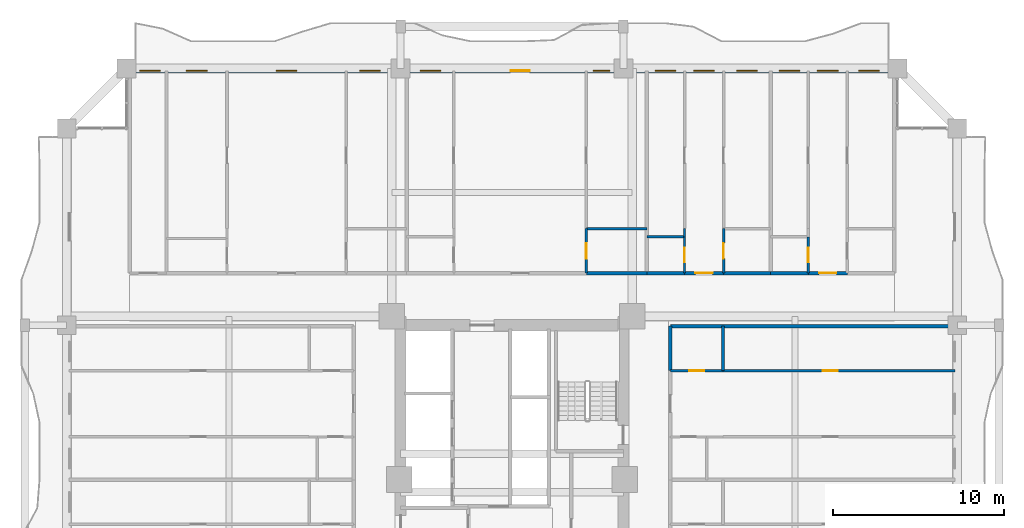
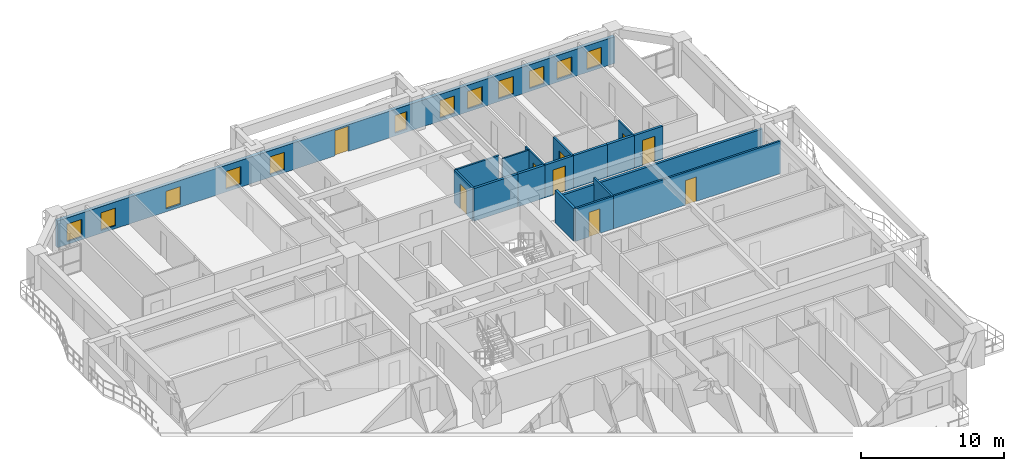
# One storey, part 20 of 28: 19 walls, 12 windows, 9 doors, 21 openings.
"""IFC4 building model written with IfcOpenShell, lengths in metres."""

from ifc_helpers import new_model, si_unit, direction, frame, frame_2d, origin, place, context, subcontext, project, spatial, rectangle, extrude, source, transform, mapped, material, layer, layer_set, type_object, element, fill, save


model = new_model("IFC4")

# Units and contexts
model_context = context("Model", 3, precision=1e-05, world=origin(), true_north=direction((0.0, 1.0)))
body_context = subcontext(model_context, "Body", "Model", "MODEL_VIEW")
ifc_project = project(units=[si_unit("LENGTHUNIT", "METRE"), si_unit("AREAUNIT", "SQUARE_METRE"), si_unit("VOLUMEUNIT", "CUBIC_METRE"), si_unit("PLANEANGLEUNIT", "RADIAN"), si_unit("MASSUNIT", "GRAM", prefix="KILO")], contexts=[model_context])

# Site, building, storey
site_placement = place(None, origin())
site = spatial("IfcSite", under=ifc_project, at=site_placement, CompositionType="ELEMENT")
building_placement = place(site_placement, origin())
building = spatial("IfcBuilding", under=site, at=building_placement, Name="Saelheon Loggia Tower", CompositionType="ELEMENT")
storey_placement = place(building_placement, frame((0.0, 0.0, 25.39990234375)))
storey = spatial("IfcBuildingStorey", under=building, at=storey_placement, Name="L07", CompositionType="ELEMENT", Elevation=25.39990234375)

# Wall, openings, windows, door
ifc_material_1 = material(Name="Architectural Precast Concrete C40/50", Category="concrete")
ifc_layer_1 = layer(ifc_material_1, 0.280029296875)
ifc_layer_set_1 = layer_set([ifc_layer_1], Name="Architectural Precast Concrete C40/50")
wall_type_1 = type_object("IfcWallType", Name="Wall_Ext_Loggia_280", PredefinedType="SOLIDWALL", material=ifc_layer_set_1)
wall_1_placement = place(storey_placement, frame((15.5, 50.860107421875, 0.0), z_axis=(0.0, 0.0, 1.0), x_axis=(1.0, 0.0, 0.0)))
wall_1 = element("IfcWall", 1, at=wall_1_placement, inside=storey, type_object=wall_type_1, Name="L07 North Loggia Inner Wall", PredefinedType="SOLIDWALL", context=body_context, shape_type="SweptSolid", body=[
    extrude(rectangle(XDim=45.0, YDim=0.280029296875, at=frame_2d((22.5, 0.0))), origin(), (0.0, 0.0, 1.0), 2.280029296875),
])
opening_1_placement = place(wall_1_placement, frame((0.760009765625, 0.0, 0.25)))
opening_1 = element("IfcOpeningElement", 2, at=opening_1_placement, cuts=wall_1, Name="Opening WN-03", PredefinedType="OPENING", context=body_context, shape_type="SweptSolid", body=[
    extrude(rectangle(XDim=1.199951171875, YDim=1.5, at=frame_2d((0.60009765625, 0.75))), frame((0.0, 0.152099609375, 0.0), z_axis=(0.0, -1.0, 0.0), x_axis=(1.0, 0.0, 0.0)), (0.0, 0.0, 1.0), 0.303955078125),
])
opening_2_placement = place(wall_1_placement, frame((3.494384765625, 0.0, 0.25)))
opening_2 = element("IfcOpeningElement", 3, at=opening_2_placement, cuts=wall_1, Name="Opening WN-03", PredefinedType="OPENING", context=body_context, shape_type="SweptSolid", body=[
    extrude(rectangle(XDim=1.199951171875, YDim=1.5, at=frame_2d((0.60009765625, 0.75))), frame((0.0, 0.152099609375, 0.0), z_axis=(0.0, -1.0, 0.0), x_axis=(1.0, 0.0, 0.0)), (0.0, 0.0, 1.0), 0.303955078125),
])
opening_3_placement = place(wall_1_placement, frame((8.740966796875, 0.0, 0.25)))
opening_3 = element("IfcOpeningElement", 4, at=opening_3_placement, cuts=wall_1, Name="Opening WN-03", PredefinedType="OPENING", context=body_context, shape_type="SweptSolid", body=[
    extrude(rectangle(XDim=1.199951171875, YDim=1.5, at=frame_2d((0.60009765625, 0.75))), frame((0.0, 0.152099609375, 0.0), z_axis=(0.0, -1.0, 0.0), x_axis=(1.0, 0.0, 0.0)), (0.0, 0.0, 1.0), 0.303955078125),
])
opening_4_placement = place(wall_1_placement, frame((13.616455078125, 0.0, 0.25)))
opening_4 = element("IfcOpeningElement", 5, at=opening_4_placement, cuts=wall_1, Name="Opening WN-03", PredefinedType="OPENING", context=body_context, shape_type="SweptSolid", body=[
    extrude(rectangle(XDim=1.199951171875, YDim=1.5, at=frame_2d((0.60009765625, 0.75))), frame((0.0, 0.152099609375, 0.0), z_axis=(0.0, -1.0, 0.0), x_axis=(1.0, 0.0, 0.0)), (0.0, 0.0, 1.0), 0.303955078125),
])
opening_5_placement = place(wall_1_placement, frame((17.145751953125, 0.0, 0.25)))
opening_5 = element("IfcOpeningElement", 6, at=opening_5_placement, cuts=wall_1, Name="Opening WN-03", PredefinedType="OPENING", context=body_context, shape_type="SweptSolid", body=[
    extrude(rectangle(XDim=1.199951171875, YDim=1.5, at=frame_2d((0.60009765625, 0.75))), frame((0.0, 0.152099609375, 0.0), z_axis=(0.0, -1.0, 0.0), x_axis=(1.0, 0.0, 0.0)), (0.0, 0.0, 1.0), 0.303955078125),
])
opening_6_placement = place(wall_1_placement, frame((22.423095703125, 0.0, 0.0)))
opening_6 = element("IfcOpeningElement", 7, at=opening_6_placement, cuts=wall_1, Name="Opening TD1", PredefinedType="OPENING", context=body_context, shape_type="SweptSolid", body=[
    extrude(rectangle(XDim=1.10009765625, YDim=2.14990234375, at=frame_2d((0.550048828125, 1.074951171875))), frame((0.0, 0.152099609375, 0.0), z_axis=(0.0, -1.0, 0.0), x_axis=(1.0, 0.0, 0.0)), (0.0, 0.0, 1.0), 0.303955078125),
])
opening_7_placement = place(wall_1_placement, frame((27.252197265625, 0.0, 0.25)))
opening_7 = element("IfcOpeningElement", 8, at=opening_7_placement, cuts=wall_1, Name="Opening WN-04", PredefinedType="OPENING", context=body_context, shape_type="SweptSolid", body=[
    extrude(rectangle(XDim=0.949951171875, YDim=1.5, at=frame_2d((0.47509765625, 0.75))), frame((0.0, 0.152099609375, 0.0), z_axis=(0.0, -1.0, 0.0), x_axis=(1.0, 0.0, 0.0)), (0.0, 0.0, 1.0), 0.303955078125),
])
opening_8_placement = place(wall_1_placement, frame((30.873291015625, 0.0, 0.25)))
opening_8 = element("IfcOpeningElement", 9, at=opening_8_placement, cuts=wall_1, Name="Opening WN-03", PredefinedType="OPENING", context=body_context, shape_type="SweptSolid", body=[
    extrude(rectangle(XDim=1.199951171875, YDim=1.5, at=frame_2d((0.60009765625, 0.75))), frame((0.0, 0.152099609375, 0.0), z_axis=(0.0, -1.0, 0.0), x_axis=(1.0, 0.0, 0.0)), (0.0, 0.0, 1.0), 0.303955078125),
])
opening_9_placement = place(wall_1_placement, frame((33.112548828125, 0.0, 0.25)))
opening_9 = element("IfcOpeningElement", 10, at=opening_9_placement, cuts=wall_1, Name="Opening WN-03", PredefinedType="OPENING", context=body_context, shape_type="SweptSolid", body=[
    extrude(rectangle(XDim=1.199951171875, YDim=1.5, at=frame_2d((0.60009765625, 0.75))), frame((0.0, 0.152099609375, 0.0), z_axis=(0.0, -1.0, 0.0), x_axis=(1.0, 0.0, 0.0)), (0.0, 0.0, 1.0), 0.303955078125),
])
opening_10_placement = place(wall_1_placement, frame((35.624267578125, 0.0, 0.25)))
opening_10 = element("IfcOpeningElement", 11, at=opening_10_placement, cuts=wall_1, Name="Opening WN-03", PredefinedType="OPENING", context=body_context, shape_type="SweptSolid", body=[
    extrude(rectangle(XDim=1.199951171875, YDim=1.5, at=frame_2d((0.60009765625, 0.75))), frame((0.0, 0.152099609375, 0.0), z_axis=(0.0, -1.0, 0.0), x_axis=(1.0, 0.0, 0.0)), (0.0, 0.0, 1.0), 0.303955078125),
])
opening_11_placement = place(wall_1_placement, frame((38.0966796875, 0.0, 0.25)))
opening_11 = element("IfcOpeningElement", 12, at=opening_11_placement, cuts=wall_1, Name="Opening WN-03", PredefinedType="OPENING", context=body_context, shape_type="SweptSolid", body=[
    extrude(rectangle(XDim=1.199951171875, YDim=1.5, at=frame_2d((0.60009765625, 0.75))), frame((0.0, 0.152099609375, 0.0), z_axis=(0.0, -1.0, 0.0), x_axis=(1.0, 0.0, 0.0)), (0.0, 0.0, 1.0), 0.303955078125),
])
opening_12_placement = place(wall_1_placement, frame((40.3359375, 0.0, 0.25)))
opening_12 = element("IfcOpeningElement", 13, at=opening_12_placement, cuts=wall_1, Name="Opening WN-03", PredefinedType="OPENING", context=body_context, shape_type="SweptSolid", body=[
    extrude(rectangle(XDim=1.199951171875, YDim=1.5, at=frame_2d((0.60009765625, 0.75))), frame((0.0, 0.152099609375, 0.0), z_axis=(0.0, -1.0, 0.0), x_axis=(1.0, 0.0, 0.0)), (0.0, 0.0, 1.0), 0.303955078125),
])
opening_13_placement = place(wall_1_placement, frame((42.74267578125, 0.0, 0.25)))
opening_13 = element("IfcOpeningElement", 14, at=opening_13_placement, cuts=wall_1, Name="Opening WN-03", PredefinedType="OPENING", context=body_context, shape_type="SweptSolid", body=[
    extrude(rectangle(XDim=1.199951171875, YDim=1.5, at=frame_2d((0.60009765625, 0.75))), frame((0.0, 0.152099609375, 0.0), z_axis=(0.0, -1.0, 0.0), x_axis=(1.0, 0.0, 0.0)), (0.0, 0.0, 1.0), 0.303955078125),
])
ifc_material_2 = material(Name="Thermal-Break Aluminium and Triple Low-E Glass", Category="aluminium")
window_type_1 = type_object("IfcWindowType", Name="Win_Bedroom_1200x1500", PartitioningType="SINGLE_PANEL", PredefinedType="WINDOW", material=ifc_material_2)
shared_shape_1 = source(origin(), body_context, "Body", "SweptSolid", [
    extrude(rectangle(XDim=1.199951171875, YDim=1.5, at=frame_2d((0.60009765625, 0.75))), frame((0.0, 0.030029296875, 0.0), z_axis=(0.0, -1.0, 0.0), x_axis=(1.0, 0.0, 0.0)), (0.0, 0.0, 1.0), 0.06005859375),
])
window_1_placement = place(opening_1_placement, origin())
window_1 = element("IfcWindow", 15, at=window_1_placement, inside=storey, type_object=window_type_1, Name="L07 N Dwelling Window 1", OverallHeight=1.5, OverallWidth=1.199951171875, PartitioningType="SINGLE_PANEL", PredefinedType="WINDOW", context=body_context, shape_type="MappedRepresentation", body=[
    mapped(shared_shape_1, transform((0.0, 0.0, 0.0), scale=1.0)),
])
fill(opening_1, window_1)
window_2_placement = place(opening_2_placement, origin())
window_2 = element("IfcWindow", 16, at=window_2_placement, inside=storey, type_object=window_type_1, Name="L07 N Dwelling Window 2", OverallHeight=1.5, OverallWidth=1.199951171875, PartitioningType="SINGLE_PANEL", PredefinedType="WINDOW", context=body_context, shape_type="MappedRepresentation", body=[
    mapped(shared_shape_1, transform((0.0, 0.0, 0.0), scale=1.0)),
])
fill(opening_2, window_2)
window_3_placement = place(opening_3_placement, origin())
window_3 = element("IfcWindow", 17, at=window_3_placement, inside=storey, type_object=window_type_1, Name="L07 N Dwelling Window 3", OverallHeight=1.5, OverallWidth=1.199951171875, PartitioningType="SINGLE_PANEL", PredefinedType="WINDOW", context=body_context, shape_type="MappedRepresentation", body=[
    mapped(shared_shape_1, transform((0.0, 0.0, 0.0), scale=1.0)),
])
fill(opening_3, window_3)
window_4_placement = place(opening_4_placement, origin())
window_4 = element("IfcWindow", 18, at=window_4_placement, inside=storey, type_object=window_type_1, Name="L07 N Dwelling Window 4", OverallHeight=1.5, OverallWidth=1.199951171875, PartitioningType="SINGLE_PANEL", PredefinedType="WINDOW", context=body_context, shape_type="MappedRepresentation", body=[
    mapped(shared_shape_1, transform((0.0, 0.0, 0.0), scale=1.0)),
])
fill(opening_4, window_4)
window_5_placement = place(opening_5_placement, origin())
window_5 = element("IfcWindow", 19, at=window_5_placement, inside=storey, type_object=window_type_1, Name="L07 N Dwelling Window 5", OverallHeight=1.5, OverallWidth=1.199951171875, PartitioningType="SINGLE_PANEL", PredefinedType="WINDOW", context=body_context, shape_type="MappedRepresentation", body=[
    mapped(shared_shape_1, transform((0.0, 0.0, 0.0), scale=1.0)),
])
fill(opening_5, window_5)
window_6_placement = place(opening_8_placement, origin())
window_6 = element("IfcWindow", 20, at=window_6_placement, inside=storey, type_object=window_type_1, Name="L07 N Dwelling Window 8", OverallHeight=1.5, OverallWidth=1.199951171875, PartitioningType="SINGLE_PANEL", PredefinedType="WINDOW", context=body_context, shape_type="MappedRepresentation", body=[
    mapped(shared_shape_1, transform((0.0, 0.0, 0.0), scale=1.0)),
])
fill(opening_8, window_6)
window_7_placement = place(opening_9_placement, origin())
window_7 = element("IfcWindow", 21, at=window_7_placement, inside=storey, type_object=window_type_1, Name="L07 N Dwelling Window 9", OverallHeight=1.5, OverallWidth=1.199951171875, PartitioningType="SINGLE_PANEL", PredefinedType="WINDOW", context=body_context, shape_type="MappedRepresentation", body=[
    mapped(shared_shape_1, transform((0.0, 0.0, 0.0), scale=1.0)),
])
fill(opening_9, window_7)
window_8_placement = place(opening_10_placement, origin())
window_8 = element("IfcWindow", 22, at=window_8_placement, inside=storey, type_object=window_type_1, Name="L07 N Dwelling Window 10", OverallHeight=1.5, OverallWidth=1.199951171875, PartitioningType="SINGLE_PANEL", PredefinedType="WINDOW", context=body_context, shape_type="MappedRepresentation", body=[
    mapped(shared_shape_1, transform((0.0, 0.0, 0.0), scale=1.0)),
])
fill(opening_10, window_8)
window_9_placement = place(opening_11_placement, origin())
window_9 = element("IfcWindow", 23, at=window_9_placement, inside=storey, type_object=window_type_1, Name="L07 N Dwelling Window 11", OverallHeight=1.5, OverallWidth=1.199951171875, PartitioningType="SINGLE_PANEL", PredefinedType="WINDOW", context=body_context, shape_type="MappedRepresentation", body=[
    mapped(shared_shape_1, transform((0.0, 0.0, 0.0), scale=1.0)),
])
fill(opening_11, window_9)
window_10_placement = place(opening_12_placement, origin())
window_10 = element("IfcWindow", 24, at=window_10_placement, inside=storey, type_object=window_type_1, Name="L07 N Dwelling Window 12", OverallHeight=1.5, OverallWidth=1.199951171875, PartitioningType="SINGLE_PANEL", PredefinedType="WINDOW", context=body_context, shape_type="MappedRepresentation", body=[
    mapped(shared_shape_1, transform((0.0, 0.0, 0.0), scale=1.0)),
])
fill(opening_12, window_10)
window_11_placement = place(opening_13_placement, origin())
window_11 = element("IfcWindow", 25, at=window_11_placement, inside=storey, type_object=window_type_1, Name="L07 N Dwelling Window 13", OverallHeight=1.5, OverallWidth=1.199951171875, PartitioningType="SINGLE_PANEL", PredefinedType="WINDOW", context=body_context, shape_type="MappedRepresentation", body=[
    mapped(shared_shape_1, transform((0.0, 0.0, 0.0), scale=1.0)),
])
fill(opening_13, window_11)
ifc_material_3 = material(Name="Thermal-Break Aluminium Glazed Door", Category="aluminium")
door_type_1 = type_object("IfcDoorType", Name="Door_Terrace_TD1", OperationType="NOTDEFINED", PredefinedType="DOOR", material=ifc_material_3)
shared_shape_2 = source(origin(), body_context, "Body", "SweptSolid", [
    extrude(rectangle(XDim=1.10009765625, YDim=2.14990234375, at=frame_2d((0.550048828125, 1.074951171875))), frame((0.0, 0.02490234375, 0.0), z_axis=(0.0, -1.0, 0.0), x_axis=(1.0, 0.0, 0.0)), (0.0, 0.0, 1.0), 0.050048828125),
])
door_1_placement = place(opening_6_placement, origin())
door_1 = element("IfcDoor", 26, at=door_1_placement, inside=storey, type_object=door_type_1, Name="L07 N Loggia Access Door", OperationType="SINGLE_SWING_RIGHT", OverallHeight=2.14990234375, OverallWidth=1.10009765625, PredefinedType="DOOR", context=body_context, shape_type="MappedRepresentation", body=[
    mapped(shared_shape_2, transform((0.0, 0.0, 0.0), scale=1.0)),
])
fill(opening_6, door_1)
window_type_2 = type_object("IfcWindowType", Name="Win_Narrow_950x1500", PartitioningType="SINGLE_PANEL", PredefinedType="WINDOW", material=ifc_material_2)
shared_shape_3 = source(origin(), body_context, "Body", "SweptSolid", [
    extrude(rectangle(XDim=0.949951171875, YDim=1.5, at=frame_2d((0.47509765625, 0.75))), frame((0.0, 0.030029296875, 0.0), z_axis=(0.0, -1.0, 0.0), x_axis=(1.0, 0.0, 0.0)), (0.0, 0.0, 1.0), 0.06005859375),
])
window_12_placement = place(opening_7_placement, origin())
window_12 = element("IfcWindow", 27, at=window_12_placement, inside=storey, type_object=window_type_2, Name="L07 N Dwelling Window 7", OverallHeight=1.5, OverallWidth=0.949951171875, PartitioningType="SINGLE_PANEL", PredefinedType="WINDOW", context=body_context, shape_type="MappedRepresentation", body=[
    mapped(shared_shape_3, transform((0.0, 0.0, 0.0), scale=1.0)),
])
fill(opening_7, window_12)

# Wall
ifc_material_4 = material(Name="Lightweight Autoclaved Aerated Concrete Block and Acoustic Gypsum", Category="concrete")
ifc_layer_2 = layer(ifc_material_4, 0.14990234375)
ifc_layer_set_2 = layer_set([ifc_layer_2], Name="Lightweight Autoclaved Aerated Concrete Block and Acoustic Gypsum")
wall_type_2 = type_object("IfcWallType", Name="Wall_Part_150", PredefinedType="PARTITIONING", material=ifc_layer_set_2)
wall_2_placement = place(storey_placement, frame((42.344482421875, 41.639892578125, 0.0), z_axis=(0.0, 0.0, 1.0), x_axis=(1.0, 0.0, 0.0)))
element("IfcWall", 28, at=wall_2_placement, inside=storey, type_object=wall_type_2, Name="L07 N Partition V20", PredefinedType="PARTITIONING", context=body_context, shape_type="SweptSolid", body=[
    extrude(rectangle(XDim=3.52880859375, YDim=0.14990234375, at=frame_2d((1.764404296875, 0.0))), origin(), (0.0, 0.0, 1.0), 2.7900390625),
])

# Wall, opening, door
wall_3_placement = place(storey_placement, frame((42.344482421875, 39.050048828125, 0.0), z_axis=(0.0, 0.0, 1.0), x_axis=(0.0, 1.0, 0.0)))
wall_3 = element("IfcWall", 29, at=wall_3_placement, inside=storey, type_object=wall_type_2, Name="L07 N Partition U24", PredefinedType="PARTITIONING", context=body_context, shape_type="SweptSolid", body=[
    extrude(rectangle(XDim=2.58984375, YDim=0.14990234375, at=frame_2d((1.294921875, 0.0))), origin(), (0.0, 0.0, 1.0), 2.7900390625),
])
opening_14_placement = place(wall_3_placement, frame((0.844970703125, 0.0, 0.0)))
opening_14 = element("IfcOpeningElement", 30, at=opening_14_placement, cuts=wall_3, Name="Opening D-IN2", PredefinedType="OPENING", context=body_context, shape_type="SweptSolid", body=[
    extrude(rectangle(XDim=0.89990234375, YDim=2.10009765625, at=frame_2d((0.449951171875, 1.050048828125))), frame((0.0, 0.0869140625, 0.0), z_axis=(0.0, -1.0, 0.0), x_axis=(1.0, 0.0, 0.0)), (0.0, 0.0, 1.0), 0.173828125),
])
ifc_material_5 = material(Name="Engineered Oak Flush Door", Category="timber")
door_type_2 = type_object("IfcDoorType", Name="Door_Int_900", OperationType="NOTDEFINED", PredefinedType="DOOR", material=ifc_material_5)
shared_shape_4 = source(origin(), body_context, "Body", "SweptSolid", [
    extrude(rectangle(XDim=0.89990234375, YDim=2.10009765625, at=frame_2d((0.449951171875, 1.050048828125))), frame((0.0, 0.02490234375, 0.0), z_axis=(0.0, -1.0, 0.0), x_axis=(1.0, 0.0, 0.0)), (0.0, 0.0, 1.0), 0.050048828125),
])
door_2_placement = place(opening_14_placement, origin())
door_2 = element("IfcDoor", 31, at=door_2_placement, inside=storey, type_object=door_type_2, Name="Unit U08 Dressing Closet Door", OperationType="SINGLE_SWING_RIGHT", OverallHeight=2.10009765625, OverallWidth=0.89990234375, PredefinedType="DOOR", context=body_context, shape_type="MappedRepresentation", body=[
    mapped(shared_shape_4, transform((0.0, 0.0, 0.0), scale=1.0)),
])
fill(opening_14, door_2)

wall_4_placement = place(storey_placement, frame((50.351806640625, 39.050048828125, 0.0), z_axis=(0.0, 0.0, 1.0), x_axis=(0.0, 1.0, 0.0)))
wall_4 = element("IfcWall", 32, at=wall_4_placement, inside=storey, type_object=wall_type_2, Name="L07 N Partition U35", PredefinedType="PARTITIONING", context=body_context, shape_type="SweptSolid", body=[
    extrude(rectangle(XDim=2.58984375, YDim=0.14990234375, at=frame_2d((1.294921875, 0.0))), origin(), (0.0, 0.0, 1.0), 2.7900390625),
])
opening_15_placement = place(wall_4_placement, frame((0.844970703125, 0.0, 0.0)))
opening_15 = element("IfcOpeningElement", 33, at=opening_15_placement, cuts=wall_4, Name="Opening D-IN2", PredefinedType="OPENING", context=body_context, shape_type="SweptSolid", body=[
    extrude(rectangle(XDim=0.89990234375, YDim=2.10009765625, at=frame_2d((0.449951171875, 1.050048828125))), frame((0.0, 0.0869140625, 0.0), z_axis=(0.0, -1.0, 0.0), x_axis=(1.0, 0.0, 0.0)), (0.0, 0.0, 1.0), 0.173828125),
])
door_3_placement = place(opening_15_placement, origin())
door_3 = element("IfcDoor", 34, at=door_3_placement, inside=storey, type_object=door_type_2, Name="Unit U09 Dressing Closet Door", OperationType="SINGLE_SWING_LEFT", OverallHeight=2.10009765625, OverallWidth=0.89990234375, PredefinedType="DOOR", context=body_context, shape_type="MappedRepresentation", body=[
    mapped(shared_shape_4, transform((0.0, 0.0, 0.0), scale=1.0)),
])
fill(opening_15, door_3)

# Wall
wall_5_placement = place(storey_placement, frame((50.320068359375, 33.35009765625, 0.0), z_axis=(0.0, 0.0, 1.0), x_axis=(0.0, 1.0, 0.0)))
element("IfcWall", 35, at=wall_5_placement, inside=storey, type_object=wall_type_2, Name="L07 E Partition V18", PredefinedType="PARTITIONING", context=body_context, shape_type="SweptSolid", body=[
    extrude(rectangle(XDim=2.599853515625, YDim=0.14990234375, at=frame_2d((1.2998046875, 0.0))), origin(), (0.0, 0.0, 1.0), 2.7900390625),
])

# Wall, opening, door
wall_6_placement = place(storey_placement, frame((47.25, 33.35009765625, 0.0), z_axis=(0.0, 0.0, 1.0), x_axis=(1.0, 0.0, 0.0)))
wall_6 = element("IfcWall", 36, at=wall_6_placement, inside=storey, type_object=wall_type_2, Name="L07 E Partition U22", PredefinedType="PARTITIONING", context=body_context, shape_type="SweptSolid", body=[
    extrude(rectangle(XDim=3.070068359375, YDim=0.14990234375, at=frame_2d((1.53515625, 0.0))), origin(), (0.0, 0.0, 1.0), 2.7900390625),
])
opening_16_placement = place(wall_6_placement, frame((1.0849609375, 0.0, 0.0)))
opening_16 = element("IfcOpeningElement", 37, at=opening_16_placement, cuts=wall_6, Name="Opening D-IN2", PredefinedType="OPENING", context=body_context, shape_type="SweptSolid", body=[
    extrude(rectangle(XDim=0.89990234375, YDim=2.10009765625, at=frame_2d((0.449951171875, 1.050048828125))), frame((0.0, 0.0869140625, 0.0), z_axis=(0.0, -1.0, 0.0), x_axis=(1.0, 0.0, 0.0)), (0.0, 0.0, 1.0), 0.173828125),
])
door_4_placement = place(opening_16_placement, origin())
door_4 = element("IfcDoor", 38, at=door_4_placement, inside=storey, type_object=door_type_2, Name="Unit U14 Dressing Closet Door", OperationType="SINGLE_SWING_RIGHT", OverallHeight=2.10009765625, OverallWidth=0.89990234375, PredefinedType="DOOR", context=body_context, shape_type="MappedRepresentation", body=[
    mapped(shared_shape_4, transform((0.0, 0.0, 0.0), scale=1.0)),
])
fill(opening_16, door_4)

wall_7_placement = place(storey_placement, frame((50.320068359375, 33.35009765625, 0.0), z_axis=(0.0, 0.0, 1.0), x_axis=(1.0, 0.0, 0.0)))
wall_7 = element("IfcWall", 39, at=wall_7_placement, inside=storey, type_object=wall_type_2, Name="L07 E Partition U23", PredefinedType="PARTITIONING", context=body_context, shape_type="SweptSolid", body=[
    extrude(rectangle(XDim=13.530029296875, YDim=0.14990234375, at=frame_2d((6.76513671875, 0.0))), origin(), (0.0, 0.0, 1.0), 2.7900390625),
])
opening_17_placement = place(wall_7_placement, frame((5.808837890625, 0.0, 0.0)))
opening_17 = element("IfcOpeningElement", 40, at=opening_17_placement, cuts=wall_7, Name="Opening D-IN2", PredefinedType="OPENING", context=body_context, shape_type="SweptSolid", body=[
    extrude(rectangle(XDim=0.89990234375, YDim=2.10009765625, at=frame_2d((0.449951171875, 1.050048828125))), frame((0.0, 0.0869140625, 0.0), z_axis=(0.0, -1.0, 0.0), x_axis=(1.0, 0.0, 0.0)), (0.0, 0.0, 1.0), 0.173828125),
])
door_5_placement = place(opening_17_placement, origin())
door_5 = element("IfcDoor", 41, at=door_5_placement, inside=storey, type_object=door_type_2, Name="Unit U14 Bedroom 1 Door", OperationType="SINGLE_SWING_LEFT", OverallHeight=2.10009765625, OverallWidth=0.89990234375, PredefinedType="DOOR", context=body_context, shape_type="MappedRepresentation", body=[
    mapped(shared_shape_4, transform((0.0, 0.0, 0.0), scale=1.0)),
])
fill(opening_17, door_5)

# Walls
ifc_material_6 = material(Name="Double Acoustic Stud and Fireboard Partition", Category="gypsum")
ifc_layer_3 = layer(ifc_material_6, 0.199951171875)
ifc_layer_set_3 = layer_set([ifc_layer_3], Name="Double Acoustic Stud and Fireboard Partition")
wall_type_3 = type_object("IfcWallType", Name="Wall_Party_200", PredefinedType="PARTITIONING", material=ifc_layer_set_3)
wall_8_placement = place(storey_placement, frame((42.344482421875, 39.050048828125, 0.0), z_axis=(0.0, 0.0, 1.0), x_axis=(1.0, 0.0, 0.0)))
element("IfcWall", 42, at=wall_8_placement, inside=storey, type_object=wall_type_3, Name="L07 N Partition V18", PredefinedType="PARTITIONING", context=body_context, shape_type="SweptSolid", body=[
    extrude(rectangle(XDim=3.52880859375, YDim=0.199951171875, at=frame_2d((1.764404296875, 0.0))), origin(), (0.0, 0.0, 1.0), 2.7900390625),
])
wall_9_placement = place(storey_placement, frame((45.873291015625, 39.050048828125, 0.0), z_axis=(0.0, 0.0, 1.0), x_axis=(1.0, 0.0, 0.0)))
element("IfcWall", 43, at=wall_9_placement, inside=storey, type_object=wall_type_3, Name="L07 N Partition V27", PredefinedType="PARTITIONING", context=body_context, shape_type="SweptSolid", body=[
    extrude(rectangle(XDim=2.2001953125, YDim=0.199951171875, at=frame_2d((1.10009765625, 0.0))), origin(), (0.0, 0.0, 1.0), 2.7900390625),
])

# Wall, opening, door
wall_10_placement = place(storey_placement, frame((48.073486328125, 39.050048828125, 0.0), z_axis=(0.0, 0.0, 1.0), x_axis=(1.0, 0.0, 0.0)))
wall_10 = element("IfcWall", 44, at=wall_10_placement, inside=storey, type_object=wall_type_3, Name="L07 N Partition V28", PredefinedType="PARTITIONING", context=body_context, shape_type="SweptSolid", body=[
    extrude(rectangle(XDim=2.2783203125, YDim=0.199951171875, at=frame_2d((1.13916015625, 0.0))), origin(), (0.0, 0.0, 1.0), 2.7900390625),
])
opening_18_placement = place(wall_10_placement, frame((0.63916015625, 0.0, 0.0)))
opening_18 = element("IfcOpeningElement", 45, at=opening_18_placement, cuts=wall_10, Name="Opening D-FD1", PredefinedType="OPENING", context=body_context, shape_type="SweptSolid", body=[
    extrude(rectangle(XDim=1.0, YDim=2.14990234375, at=frame_2d((0.5, 1.074951171875))), frame((0.0, 0.112060546875, 0.0), z_axis=(0.0, -1.0, 0.0), x_axis=(1.0, 0.0, 0.0)), (0.0, 0.0, 1.0), 0.223876953125),
])
ifc_material_7 = material(Name="Fire-Rated Engineered Timber Entrance Door", Category="wood")
door_type_3 = type_object("IfcDoorType", Name="Door_Flat_FD30S", OperationType="NOTDEFINED", PredefinedType="DOOR", material=ifc_material_7)
shared_shape_5 = source(origin(), body_context, "Body", "SweptSolid", [
    extrude(rectangle(XDim=1.0, YDim=2.14990234375, at=frame_2d((0.5, 1.074951171875))), frame((0.0, 0.02490234375, 0.0), z_axis=(0.0, -1.0, 0.0), x_axis=(1.0, 0.0, 0.0)), (0.0, 0.0, 1.0), 0.050048828125),
])
door_6_placement = place(opening_18_placement, origin())
door_6 = element("IfcDoor", 46, at=door_6_placement, inside=storey, type_object=door_type_3, Name="Unit U09 Entrance Door", OperationType="SINGLE_SWING_RIGHT", OverallHeight=2.14990234375, OverallWidth=1.0, PredefinedType="DOOR", context=body_context, shape_type="MappedRepresentation", body=[
    mapped(shared_shape_5, transform((0.0, 0.0, 0.0), scale=1.0)),
])
fill(opening_18, door_6)

# Walls
wall_11_placement = place(storey_placement, frame((50.351806640625, 39.050048828125, 0.0), z_axis=(0.0, 0.0, 1.0), x_axis=(1.0, 0.0, 0.0)))
element("IfcWall", 47, at=wall_11_placement, inside=storey, type_object=wall_type_3, Name="L07 N Partition V29", PredefinedType="PARTITIONING", context=body_context, shape_type="SweptSolid", body=[
    extrude(rectangle(XDim=2.744873046875, YDim=0.199951171875, at=frame_2d((1.37255859375, 0.0))), origin(), (0.0, 0.0, 1.0), 2.7900390625),
])
wall_12_placement = place(storey_placement, frame((53.0966796875, 39.050048828125, 0.0), z_axis=(0.0, 0.0, 1.0), x_axis=(1.0, 0.0, 0.0)))
element("IfcWall", 48, at=wall_12_placement, inside=storey, type_object=wall_type_3, Name="L07 N Partition V38", PredefinedType="PARTITIONING", context=body_context, shape_type="SweptSolid", body=[
    extrude(rectangle(XDim=2.199951171875, YDim=0.199951171875, at=frame_2d((1.10009765625, 0.0))), origin(), (0.0, 0.0, 1.0), 2.7900390625),
])

# Wall, opening, door
wall_13_placement = place(storey_placement, frame((55.296630859375, 39.050048828125, 0.0), z_axis=(0.0, 0.0, 1.0), x_axis=(1.0, 0.0, 0.0)))
wall_13 = element("IfcWall", 49, at=wall_13_placement, inside=storey, type_object=wall_type_3, Name="L07 N Partition V39", PredefinedType="PARTITIONING", context=body_context, shape_type="SweptSolid", body=[
    extrude(rectangle(XDim=2.278564453125, YDim=0.199951171875, at=frame_2d((1.13916015625, 0.0))), origin(), (0.0, 0.0, 1.0), 2.7900390625),
])
opening_19_placement = place(wall_13_placement, frame((0.63916015625, 0.0, 0.0)))
opening_19 = element("IfcOpeningElement", 50, at=opening_19_placement, cuts=wall_13, Name="Opening D-FD1", PredefinedType="OPENING", context=body_context, shape_type="SweptSolid", body=[
    extrude(rectangle(XDim=1.0, YDim=2.14990234375, at=frame_2d((0.5, 1.074951171875))), frame((0.0, 0.112060546875, 0.0), z_axis=(0.0, -1.0, 0.0), x_axis=(1.0, 0.0, 0.0)), (0.0, 0.0, 1.0), 0.223876953125),
])
door_7_placement = place(opening_19_placement, origin())
door_7 = element("IfcDoor", 51, at=door_7_placement, inside=storey, type_object=door_type_3, Name="Unit U10 Entrance Door", OperationType="SINGLE_SWING_LEFT", OverallHeight=2.14990234375, OverallWidth=1.0, PredefinedType="DOOR", context=body_context, shape_type="MappedRepresentation", body=[
    mapped(shared_shape_5, transform((0.0, 0.0, 0.0), scale=1.0)),
])
fill(opening_19, door_7)

# Walls
wall_14_placement = place(storey_placement, frame((47.25, 35.949951171875, 0.0), z_axis=(0.0, 0.0, 1.0), x_axis=(1.0, 0.0, 0.0)))
element("IfcWall", 52, at=wall_14_placement, inside=storey, type_object=wall_type_3, Name="L07 E Partition U02", PredefinedType="PARTITIONING", context=body_context, shape_type="SweptSolid", body=[
    extrude(rectangle(XDim=16.60009765625, YDim=0.199951171875, at=frame_2d((8.300048828125, 0.0))), origin(), (0.0, 0.0, 1.0), 2.239990234375),
])
wall_15_placement = place(storey_placement, frame((47.25, 33.35009765625, 0.0), z_axis=(0.0, 0.0, 1.0), x_axis=(0.0, 1.0, 0.0)))
element("IfcWall", 53, at=wall_15_placement, inside=storey, type_object=wall_type_3, Name="L07 E Partition V16", PredefinedType="PARTITIONING", context=body_context, shape_type="SweptSolid", body=[
    extrude(rectangle(XDim=2.599853515625, YDim=0.199951171875, at=frame_2d((1.2998046875, 0.0))), origin(), (0.0, 0.0, 1.0), 2.7900390625),
])
ifc_material_8 = material(Name="Moisture-Resistant Cement Board Partition", Category="gypsum")
ifc_layer_4 = layer(ifc_material_8, 0.1201171875)
ifc_layer_set_4 = layer_set([ifc_layer_4], Name="Moisture-Resistant Cement Board Partition")
wall_type_4 = type_object("IfcWallType", Name="Wall_WetPart_120", PredefinedType="PARTITIONING", material=ifc_layer_set_4)
wall_16_placement = place(storey_placement, frame((45.873291015625, 41.169921875, 0.0), z_axis=(0.0, 0.0, 1.0), x_axis=(1.0, 0.0, 0.0)))
element("IfcWall", 54, at=wall_16_placement, inside=storey, type_object=wall_type_4, Name="L07 N Partition V30", PredefinedType="PARTITIONING", context=body_context, shape_type="SweptSolid", body=[
    extrude(rectangle(XDim=2.2001953125, YDim=0.1201171875, at=frame_2d((1.10009765625, 0.0))), origin(), (0.0, 0.0, 1.0), 2.7900390625),
])

# Wall, opening, door
wall_17_placement = place(storey_placement, frame((48.073486328125, 39.050048828125, 0.0), z_axis=(0.0, 0.0, 1.0), x_axis=(0.0, 1.0, 0.0)))
wall_17 = element("IfcWall", 55, at=wall_17_placement, inside=storey, type_object=wall_type_4, Name="L07 N Partition U32", PredefinedType="PARTITIONING", context=body_context, shape_type="SweptSolid", body=[
    extrude(rectangle(XDim=2.119873046875, YDim=0.1201171875, at=frame_2d((1.06005859375, 0.0))), origin(), (0.0, 0.0, 1.0), 2.7900390625),
])
opening_20_placement = place(wall_17_placement, frame((0.635009765625, 0.0, 0.0)))
opening_20 = element("IfcOpeningElement", 56, at=opening_20_placement, cuts=wall_17, Name="Opening D-BT1", PredefinedType="OPENING", context=body_context, shape_type="SweptSolid", body=[
    extrude(rectangle(XDim=0.85009765625, YDim=2.050048828125, at=frame_2d((0.425048828125, 1.02490234375))), frame((0.0, 0.072021484375, 0.0), z_axis=(0.0, -1.0, 0.0), x_axis=(1.0, 0.0, 0.0)), (0.0, 0.0, 1.0), 0.14404296875),
])
ifc_material_9 = material(Name="Moisture-Resistant Laminate Timber Door", Category="wood")
door_type_4 = type_object("IfcDoorType", Name="Door_Bath_850", OperationType="NOTDEFINED", PredefinedType="DOOR", material=ifc_material_9)
shared_shape_6 = source(origin(), body_context, "Body", "SweptSolid", [
    extrude(rectangle(XDim=0.85009765625, YDim=2.050048828125, at=frame_2d((0.425048828125, 1.02490234375))), frame((0.0, 0.02490234375, 0.0), z_axis=(0.0, -1.0, 0.0), x_axis=(1.0, 0.0, 0.0)), (0.0, 0.0, 1.0), 0.050048828125),
])
door_8_placement = place(opening_20_placement, origin())
door_8 = element("IfcDoor", 57, at=door_8_placement, inside=storey, type_object=door_type_4, Name="Unit U09 Bathroom Door", OperationType="SINGLE_SWING_LEFT", OverallHeight=2.050048828125, OverallWidth=0.85009765625, PredefinedType="DOOR", context=body_context, shape_type="MappedRepresentation", body=[
    mapped(shared_shape_6, transform((0.0, 0.0, 0.0), scale=1.0)),
])
fill(opening_20, door_8)

# Wall
wall_18_placement = place(storey_placement, frame((48.073486328125, 41.169921875, 0.0), z_axis=(0.0, 0.0, 1.0), x_axis=(0.0, 1.0, 0.0)))
element("IfcWall", 58, at=wall_18_placement, inside=storey, type_object=wall_type_4, Name="L07 N Partition U33", PredefinedType="PARTITIONING", context=body_context, shape_type="SweptSolid", body=[
    extrude(rectangle(XDim=0.469970703125, YDim=0.1201171875, at=frame_2d((0.23486328125, 0.0))), origin(), (0.0, 0.0, 1.0), 2.7900390625),
])

# Wall, opening, door
wall_19_placement = place(storey_placement, frame((55.296630859375, 39.050048828125, 0.0), z_axis=(0.0, 0.0, 1.0), x_axis=(0.0, 1.0, 0.0)))
wall_19 = element("IfcWall", 59, at=wall_19_placement, inside=storey, type_object=wall_type_4, Name="L07 N Partition U43", PredefinedType="PARTITIONING", context=body_context, shape_type="SweptSolid", body=[
    extrude(rectangle(XDim=2.119873046875, YDim=0.1201171875, at=frame_2d((1.06005859375, 0.0))), origin(), (0.0, 0.0, 1.0), 2.7900390625),
])
opening_21_placement = place(wall_19_placement, frame((0.635009765625, 0.0, 0.0)))
opening_21 = element("IfcOpeningElement", 60, at=opening_21_placement, cuts=wall_19, Name="Opening D-BT1", PredefinedType="OPENING", context=body_context, shape_type="SweptSolid", body=[
    extrude(rectangle(XDim=0.85009765625, YDim=2.050048828125, at=frame_2d((0.425048828125, 1.02490234375))), frame((0.0, 0.072021484375, 0.0), z_axis=(0.0, -1.0, 0.0), x_axis=(1.0, 0.0, 0.0)), (0.0, 0.0, 1.0), 0.14404296875),
])
door_9_placement = place(opening_21_placement, origin())
door_9 = element("IfcDoor", 61, at=door_9_placement, inside=storey, type_object=door_type_4, Name="Unit U10 Bathroom Door", OperationType="SINGLE_SWING_RIGHT", OverallHeight=2.050048828125, OverallWidth=0.85009765625, PredefinedType="DOOR", context=body_context, shape_type="MappedRepresentation", body=[
    mapped(shared_shape_6, transform((0.0, 0.0, 0.0), scale=1.0)),
])
fill(opening_21, door_9)

save(model, "model.ifc")
